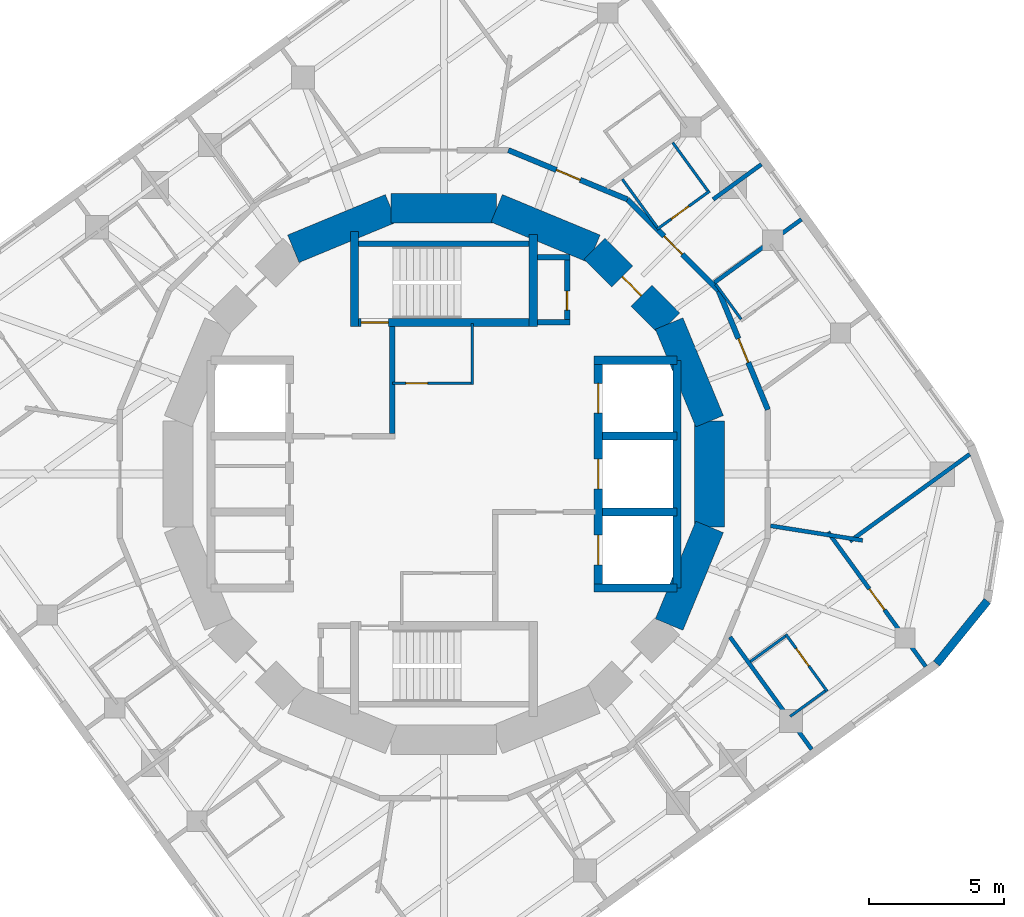
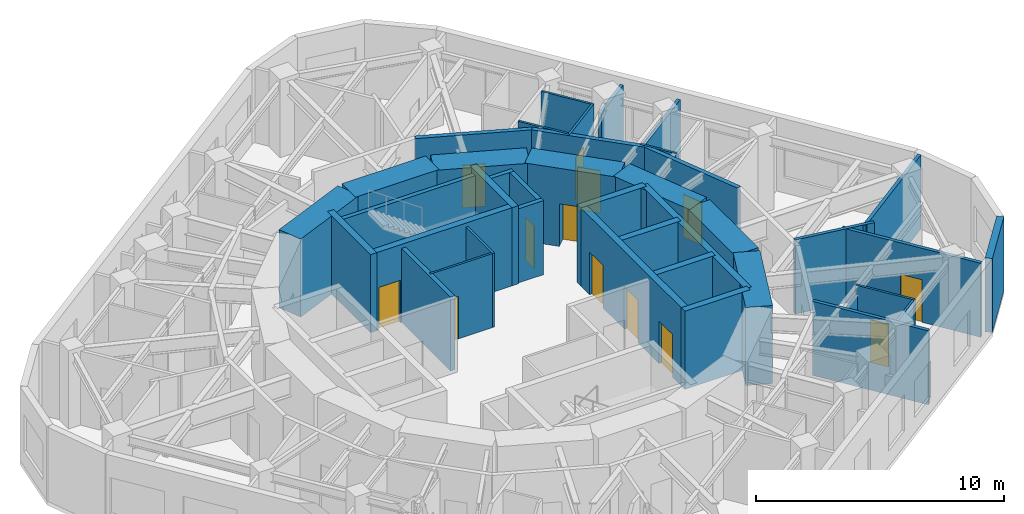
# One storey, part 6 of 9: 40 walls, 13 doors, 13 openings.
"""IFC4 building model written with IfcOpenShell, lengths in metres."""

from ifc_helpers import new_model, si_unit, direction, frame, frame_2d, origin, place, context, subcontext, project, spatial, rectangle, extrude, material, layer, layer_set, type_object, element, fill, save


model = new_model("IFC4")

# Units and contexts
model_context = context("Model", 3, precision=1e-05, world=origin(), true_north=direction((0.0, 1.0)))
body_context = subcontext(model_context, "Body", "Model", "MODEL_VIEW")
ifc_project = project(units=[si_unit("LENGTHUNIT", "METRE"), si_unit("AREAUNIT", "SQUARE_METRE"), si_unit("VOLUMEUNIT", "CUBIC_METRE"), si_unit("PLANEANGLEUNIT", "RADIAN"), si_unit("MASSUNIT", "GRAM", prefix="KILO")], contexts=[model_context])

# Site, building, storey
site_placement = place(None, origin())
site = spatial("IfcSite", under=ifc_project, at=site_placement, CompositionType="ELEMENT")
building_placement = place(site_placement, origin())
building = spatial("IfcBuilding", under=site, at=building_placement, Name="Nakasero Lantern House", CompositionType="ELEMENT")
storey_placement = place(building_placement, frame((0.0, 0.0, 267.60009765625)))
storey = spatial("IfcBuildingStorey", under=building, at=storey_placement, Name="L65", CompositionType="ELEMENT", Elevation=267.60009765625)

# Wall, openings, doors
ifc_material_1 = material(Name="Concrete C50/60", Category="concrete")
ifc_layer_1 = layer(ifc_material_1, 0.300048828125)
ifc_layer_set_1 = layer_set([ifc_layer_1], Name="Core inner wall 300")
wall_type_1 = type_object("IfcWallType", Name="Core inner wall 300", PredefinedType="SHEAR", material=ifc_layer_set_1)
wall_1_placement = place(storey_placement, frame((5.699951171875, -4.199951171875, 0.0), z_axis=(0.0, 0.0, 1.0), x_axis=(0.0, 1.0, 0.0)))
wall_1 = element("IfcWall", 1, at=wall_1_placement, inside=storey, type_object=wall_type_1, Name="Core inner wall L65 LE", PredefinedType="SHEAR", context=body_context, shape_type="SweptSolid", body=[
    extrude(rectangle(XDim=8.39990234375, YDim=0.300048828125, at=frame_2d((4.199951171875, 0.0))), origin(), (0.0, 0.0, 1.0), 3.849853515625),
])
opening_1_placement = place(wall_1_placement, frame((0.85009765625, 0.0, 0.0)))
opening_1 = element("IfcOpeningElement", 2, at=opening_1_placement, cuts=wall_1, Name="Opening LD", PredefinedType="OPENING", context=body_context, shape_type="SweptSolid", body=[
    extrude(rectangle(XDim=1.10009765625, YDim=2.10009765625, at=frame_2d((0.550048828125, 1.050048828125))), frame((0.0, 0.169921875, 0.0), z_axis=(0.0, -1.0, 0.0), x_axis=(1.0, 0.0, 0.0)), (0.0, 0.0, 1.0), 0.340087890625),
])
opening_2_placement = place(wall_1_placement, frame((3.64990234375, 0.0, 0.0)))
opening_2 = element("IfcOpeningElement", 3, at=opening_2_placement, cuts=wall_1, Name="Opening LD", PredefinedType="OPENING", context=body_context, shape_type="SweptSolid", body=[
    extrude(rectangle(XDim=1.10009765625, YDim=2.10009765625, at=frame_2d((0.550048828125, 1.050048828125))), frame((0.0, 0.169921875, 0.0), z_axis=(0.0, -1.0, 0.0), x_axis=(1.0, 0.0, 0.0)), (0.0, 0.0, 1.0), 0.340087890625),
])
opening_3_placement = place(wall_1_placement, frame((6.449951171875, 0.0, 0.0)))
opening_3 = element("IfcOpeningElement", 4, at=opening_3_placement, cuts=wall_1, Name="Opening LD", PredefinedType="OPENING", context=body_context, shape_type="SweptSolid", body=[
    extrude(rectangle(XDim=1.10009765625, YDim=2.10009765625, at=frame_2d((0.550048828125, 1.050048828125))), frame((0.0, 0.169921875, 0.0), z_axis=(0.0, -1.0, 0.0), x_axis=(1.0, 0.0, 0.0)), (0.0, 0.0, 1.0), 0.340087890625),
])
ifc_material_2 = material(Name="Steel S355", Category="steel")
door_type_1 = type_object("IfcDoorType", Name="Lift landing door E120 1100", OperationType="SLIDING_TO_LEFT", PredefinedType="DOOR", material=ifc_material_2)
door_1_placement = place(opening_1_placement, origin())
door_1 = element("IfcDoor", 5, at=door_1_placement, inside=storey, type_object=door_type_1, Name="Lift landing door LE1", OperationType="SLIDING_TO_LEFT", OverallHeight=2.10009765625, OverallWidth=1.10009765625, PredefinedType="DOOR", context=body_context, shape_type="SweptSolid", body=[
    extrude(rectangle(XDim=1.10009765625, YDim=2.10009765625, at=frame_2d((0.550048828125, 1.050048828125))), frame((0.0, 0.02490234375, 0.0), z_axis=(0.0, -1.0, 0.0), x_axis=(1.0, 0.0, 0.0)), (0.0, 0.0, 1.0), 0.050048828125),
])
fill(opening_1, door_1)
door_2_placement = place(opening_2_placement, origin())
door_2 = element("IfcDoor", 6, at=door_2_placement, inside=storey, type_object=door_type_1, Name="Lift landing door LE2", OperationType="SLIDING_TO_LEFT", OverallHeight=2.10009765625, OverallWidth=1.10009765625, PredefinedType="DOOR", context=body_context, shape_type="SweptSolid", body=[
    extrude(rectangle(XDim=1.10009765625, YDim=2.10009765625, at=frame_2d((0.550048828125, 1.050048828125))), frame((0.0, 0.02490234375, 0.0), z_axis=(0.0, -1.0, 0.0), x_axis=(1.0, 0.0, 0.0)), (0.0, 0.0, 1.0), 0.050048828125),
])
fill(opening_2, door_2)
door_3_placement = place(opening_3_placement, origin())
door_3 = element("IfcDoor", 7, at=door_3_placement, inside=storey, type_object=door_type_1, Name="Lift landing door LE3", OperationType="SLIDING_TO_LEFT", OverallHeight=2.10009765625, OverallWidth=1.10009765625, PredefinedType="DOOR", context=body_context, shape_type="SweptSolid", body=[
    extrude(rectangle(XDim=1.10009765625, YDim=2.10009765625, at=frame_2d((0.550048828125, 1.050048828125))), frame((0.0, 0.02490234375, 0.0), z_axis=(0.0, -1.0, 0.0), x_axis=(1.0, 0.0, 0.0)), (0.0, 0.0, 1.0), 0.050048828125),
])
fill(opening_3, door_3)

# Walls
for number, where, z_axis, x_axis, name in (
    (8, (5.550048828125, 4.199951171875, 0.0), (0.0, 0.0, 1.0), (1.0, 0.0, 0.0), "Core inner wall L65 LEN"),
    (9, (5.550048828125, -4.199951171875, 0.0), (0.0, 0.0, 1.0), (1.0, 0.0, 0.0), "Core inner wall L65 LES"),
):
    element("IfcWall", number, at=place(storey_placement, frame(where, z_axis=z_axis, x_axis=x_axis)), inside=storey, type_object=wall_type_1, Name=name, PredefinedType="SHEAR", context=body_context, shape_type="SweptSolid", body=[
        extrude(rectangle(XDim=3.050048828125, YDim=0.300048828125, at=frame_2d((1.52490234375, 0.0))), origin(), (0.0, 0.0, 1.0), 3.849853515625),
    ])
wall_2_placement = place(storey_placement, frame((8.60009765625, -4.199951171875, 0.0), z_axis=(0.0, 0.0, 1.0), x_axis=(0.0, 1.0, 0.0)))
element("IfcWall", 10, at=wall_2_placement, inside=storey, type_object=wall_type_1, Name="Core inner wall L65 LEB", PredefinedType="SHEAR", context=body_context, shape_type="SweptSolid", body=[
    extrude(rectangle(XDim=8.39990234375, YDim=0.300048828125, at=frame_2d((4.199951171875, 0.0))), origin(), (0.0, 0.0, 1.0), 3.849853515625),
])
for number, where, z_axis, x_axis, name in (
    (11, (5.85009765625, -1.39990234375, 0.0), (0.0, 0.0, 1.0), (1.0, 0.0, 0.0), "Core inner wall L65 LE1"),
    (12, (5.85009765625, 1.39990234375, 0.0), (0.0, 0.0, 1.0), (1.0, 0.0, 0.0), "Core inner wall L65 LE2"),
):
    element("IfcWall", number, at=place(storey_placement, frame(where, z_axis=z_axis, x_axis=x_axis)), inside=storey, type_object=wall_type_1, Name=name, PredefinedType="SHEAR", context=body_context, shape_type="SweptSolid", body=[
        extrude(rectangle(XDim=2.75, YDim=0.300048828125, at=frame_2d((1.375, 0.0))), origin(), (0.0, 0.0, 1.0), 3.849853515625),
    ])

# Wall, opening, door
wall_3_placement = place(storey_placement, frame((-3.449951171875, 5.60009765625, 0.0), z_axis=(0.0, 0.0, 1.0), x_axis=(1.0, 0.0, 0.0)))
wall_3 = element("IfcWall", 13, at=wall_3_placement, inside=storey, type_object=wall_type_1, Name="Core inner wall L65 SN", PredefinedType="SHEAR", context=body_context, shape_type="SweptSolid", body=[
    extrude(rectangle(XDim=6.89990234375, YDim=0.300048828125, at=frame_2d((3.449951171875, 0.0))), origin(), (0.0, 0.0, 1.0), 3.849853515625),
])
opening_4_placement = place(wall_3_placement, frame((0.39990234375, 0.0, 0.0)))
opening_4 = element("IfcOpeningElement", 14, at=opening_4_placement, cuts=wall_3, Name="Opening D05", PredefinedType="OPENING", context=body_context, shape_type="SweptSolid", body=[
    extrude(rectangle(XDim=1.0, YDim=2.10009765625, at=frame_2d((0.5, 1.050048828125))), frame((0.0, 0.169921875, 0.0), z_axis=(0.0, -1.0, 0.0), x_axis=(1.0, 0.0, 0.0)), (0.0, 0.0, 1.0), 0.340087890625),
])
ifc_material_3 = material(Name="Timber C24", Category="wood")
door_type_2 = type_object("IfcDoorType", Name="Core door FD60S 1000", OperationType="SINGLE_SWING_LEFT", PredefinedType="DOOR", material=ifc_material_3)
door_4_placement = place(opening_4_placement, origin())
door_4 = element("IfcDoor", 15, at=door_4_placement, inside=storey, type_object=door_type_2, Name="Door L65 D-ST1", OperationType="SINGLE_SWING_LEFT", OverallHeight=2.10009765625, OverallWidth=1.0, PredefinedType="DOOR", context=body_context, shape_type="SweptSolid", body=[
    extrude(rectangle(XDim=1.0, YDim=2.10009765625, at=frame_2d((0.5, 1.050048828125))), frame((0.0, 0.02490234375, 0.0), z_axis=(0.0, -1.0, 0.0), x_axis=(1.0, 0.0, 0.0)), (0.0, 0.0, 1.0), 0.050048828125),
])
fill(opening_4, door_4)

# Walls
wall_4_placement = place(storey_placement, frame((-3.300048828125, 5.449951171875, 0.0), z_axis=(0.0, 0.0, 1.0), x_axis=(0.0, 1.0, 0.0)))
element("IfcWall", 16, at=wall_4_placement, inside=storey, type_object=wall_type_1, Name="Core inner wall L65 SNW", PredefinedType="SHEAR", context=body_context, shape_type="SweptSolid", body=[
    extrude(rectangle(XDim=3.5, YDim=0.300048828125, at=frame_2d((1.75, 0.0))), origin(), (0.0, 0.0, 1.0), 3.849853515625),
])
wall_5_placement = place(storey_placement, frame((3.300048828125, 5.449951171875, 0.0), z_axis=(0.0, 0.0, 1.0), x_axis=(0.0, 1.0, 0.0)))
element("IfcWall", 17, at=wall_5_placement, inside=storey, type_object=wall_type_1, Name="Core inner wall L65 SNE", PredefinedType="SHEAR", context=body_context, shape_type="SweptSolid", body=[
    extrude(rectangle(XDim=3.400146484375, YDim=0.300048828125, at=frame_2d((1.7001953125, 0.0))), origin(), (0.0, 0.0, 1.0), 3.849853515625),
])

# Wall, opening, door
ifc_material_4 = material(Name="Blockwork", Category="masonry")
ifc_layer_2 = layer(ifc_material_4, 0.10009765625)
ifc_layer_set_2 = layer_set([ifc_layer_2], Name="Core room wall 100")
wall_type_2 = type_object("IfcWallType", Name="Core room wall 100", PredefinedType="PARTITIONING", material=ifc_layer_set_2)
wall_6_placement = place(storey_placement, frame((-1.89990234375, 3.35009765625, 0.0), z_axis=(0.0, 0.0, 1.0), x_axis=(1.0, 0.0, 0.0)))
wall_6 = element("IfcWall", 18, at=wall_6_placement, inside=storey, type_object=wall_type_2, Name="Core room wall L65 CR-NES", PredefinedType="PARTITIONING", context=body_context, shape_type="SweptSolid", body=[
    extrude(rectangle(XDim=3.0, YDim=0.10009765625, at=frame_2d((1.5, 0.0))), origin(), (0.0, 0.0, 1.0), 3.64990234375),
])
opening_5_placement = place(wall_6_placement, frame((0.5, 0.0, 0.0)))
opening_5 = element("IfcOpeningElement", 19, at=opening_5_placement, cuts=wall_6, Name="Opening D15", PredefinedType="OPENING", context=body_context, shape_type="SweptSolid", body=[
    extrude(rectangle(XDim=0.800048828125, YDim=2.10009765625, at=frame_2d((0.39990234375, 1.050048828125))), frame((0.0, 0.070068359375, 0.0), z_axis=(0.0, -1.0, 0.0), x_axis=(1.0, 0.0, 0.0)), (0.0, 0.0, 1.0), 0.14013671875),
])
ifc_material_5 = material(Name="Timber C24", Category="wood")
door_type_3 = type_object("IfcDoorType", Name="Cleaner's store door FD30S 800", OperationType="SINGLE_SWING_LEFT", PredefinedType="DOOR", material=ifc_material_5)
door_5_placement = place(opening_5_placement, origin())
door_5 = element("IfcDoor", 20, at=door_5_placement, inside=storey, type_object=door_type_3, Name="Door L65 D-CR-NE", OperationType="SINGLE_SWING_LEFT", OverallHeight=2.10009765625, OverallWidth=0.800048828125, PredefinedType="DOOR", context=body_context, shape_type="SweptSolid", body=[
    extrude(rectangle(XDim=0.800048828125, YDim=2.10009765625, at=frame_2d((0.39990234375, 1.050048828125))), frame((0.0, 0.02490234375, 0.0), z_axis=(0.0, -1.0, 0.0), x_axis=(1.0, 0.0, 0.0)), (0.0, 0.0, 1.0), 0.050048828125),
])
fill(opening_5, door_5)

# Walls
wall_7_placement = place(storey_placement, frame((1.050048828125, 3.300048828125, 0.0), z_axis=(0.0, 0.0, 1.0), x_axis=(0.0, 1.0, 0.0)))
element("IfcWall", 21, at=wall_7_placement, inside=storey, type_object=wall_type_2, Name="Core room wall L65 CR-NEE", PredefinedType="PARTITIONING", context=body_context, shape_type="SweptSolid", body=[
    extrude(rectangle(XDim=2.25, YDim=0.10009765625, at=frame_2d((1.125, 0.0))), origin(), (0.0, 0.0, 1.0), 3.64990234375),
])
ifc_material_6 = material(Name="Concrete C50/60", Category="concrete")
ifc_layer_3 = layer(ifc_material_6, 1.10009765625)
ifc_layer_set_3 = layer_set([ifc_layer_3], Name="Core wall 1100")
wall_type_3 = type_object("IfcWallType", Name="Core wall 1100", PredefinedType="SHEAR", material=ifc_layer_set_3)
wall_8_placement = place(storey_placement, frame((9.807861328125, 1.950927734375, 0.0), z_axis=(0.0, 0.0, 1.0), x_axis=(-0.382690736062, 0.923876507187, 0.0)))
element("IfcWall", 22, at=wall_8_placement, inside=storey, type_object=wall_type_3, Name="Core wall L65 facet 1", PredefinedType="SHEAR", context=body_context, shape_type="SweptSolid", body=[
    extrude(rectangle(XDim=3.90185546875, YDim=1.10009765625, at=frame_2d((1.950927734375, 0.0))), origin(), (0.0, 0.0, 1.0), 3.849853515625),
])

# Wall, opening, door
wall_9_placement = place(storey_placement, frame((8.314697265625, 5.5556640625, 0.0), z_axis=(0.0, 0.0, 1.0), x_axis=(-0.707106781187, 0.707106781187, 0.0)))
wall_9 = element("IfcWall", 23, at=wall_9_placement, inside=storey, type_object=wall_type_3, Name="Core wall L65 facet 2", PredefinedType="SHEAR", context=body_context, shape_type="SweptSolid", body=[
    extrude(rectangle(XDim=3.90185546875, YDim=1.10009765625, at=frame_2d((1.950927734375, 0.0))), origin(), (0.0, 0.0, 1.0), 3.849853515625),
])
opening_6_placement = place(wall_9_placement, frame((1.450927734375, 0.0, 0.0)))
opening_6 = element("IfcOpeningElement", 24, at=opening_6_placement, cuts=wall_9, Name="Opening D05", PredefinedType="OPENING", context=body_context, shape_type="SweptSolid", body=[
    extrude(rectangle(XDim=1.0, YDim=2.10009765625, at=frame_2d((0.5, 1.050048828125))), frame((0.0, 0.570068359375, 0.0), z_axis=(0.0, -1.0, 0.0), x_axis=(1.0, 0.0, 0.0)), (0.0, 0.0, 1.0), 1.14013671875),
])
door_6_placement = place(opening_6_placement, origin())
door_6 = element("IfcDoor", 25, at=door_6_placement, inside=storey, type_object=door_type_2, Name="Door L65 D-CORE02", OperationType="SINGLE_SWING_LEFT", OverallHeight=2.10009765625, OverallWidth=1.0, PredefinedType="DOOR", context=body_context, shape_type="SweptSolid", body=[
    extrude(rectangle(XDim=1.0, YDim=2.10009765625, at=frame_2d((0.5, 1.050048828125))), frame((0.0, 0.02490234375, 0.0), z_axis=(0.0, -1.0, 0.0), x_axis=(1.0, 0.0, 0.0)), (0.0, 0.0, 1.0), 0.050048828125),
])
fill(opening_6, door_6)

# Walls
for number, where, z_axis, x_axis, name in (
    (26, (5.5556640625, 8.314697265625, 0.0), (0.0, 0.0, 1.0), (-0.923876507187, 0.382690736062, 0.0), "Core wall L65 facet 3"),
    (27, (1.950927734375, 9.807861328125, 0.0), (0.0, 0.0, 1.0), (-1.0, 0.0, 0.0), "Core wall L65 facet 4"),
    (28, (-1.950927734375, 9.807861328125, 0.0), (0.0, 0.0, 1.0), (-0.923876507187, -0.382690736062, 0.0), "Core wall L65 facet 5"),
    (29, (8.314697265625, -5.5556640625, 0.0), (0.0, 0.0, 1.0), (0.382690736062, 0.923876507187, 0.0), "Core wall L65 facet 15"),
    (30, (9.807861328125, -1.950927734375, 0.0), (0.0, 0.0, 1.0), (0.0, 1.0, 0.0), "Core wall L65 facet 16"),
):
    element("IfcWall", number, at=place(storey_placement, frame(where, z_axis=z_axis, x_axis=x_axis)), inside=storey, type_object=wall_type_3, Name=name, PredefinedType="SHEAR", context=body_context, shape_type="SweptSolid", body=[
        extrude(rectangle(XDim=3.90185546875, YDim=1.10009765625, at=frame_2d((1.950927734375, 0.0))), origin(), (0.0, 0.0, 1.0), 3.849853515625),
    ])

# Wall, opening, door
ifc_material_7 = material(Name="Blockwork", Category="masonry")
ifc_layer_4 = layer(ifc_material_7, 0.199951171875)
ifc_layer_set_4 = layer_set([ifc_layer_4], Name="Corridor wall 200")
wall_type_4 = type_object("IfcWallType", Name="Corridor wall 200", PredefinedType="PARTITIONING", material=ifc_layer_set_4)
wall_10_placement = place(storey_placement, frame((2.378662109375, 11.957763671875, 0.0), z_axis=(0.0, 0.0, 1.0), x_axis=(0.923891735412, -0.382653970627, 0.0)))
wall_10 = element("IfcWall", 31, at=wall_10_placement, inside=storey, type_object=wall_type_4, Name="Corridor wall L65 RC13a", PredefinedType="PARTITIONING", context=body_context, shape_type="SweptSolid", body=[
    extrude(rectangle(XDim=4.757080078125, YDim=0.199951171875, at=frame_2d((2.37841796875, 0.0))), origin(), (0.0, 0.0, 1.0), 3.64990234375),
])
opening_7_placement = place(wall_10_placement, frame((1.919921875, 0.0, 0.0)))
opening_7 = element("IfcOpeningElement", 32, at=opening_7_placement, cuts=wall_10, Name="Opening D01", PredefinedType="OPENING", context=body_context, shape_type="SweptSolid", body=[
    extrude(rectangle(XDim=0.949951171875, YDim=2.10009765625, at=frame_2d((0.47509765625, 1.050048828125))), frame((0.0, 0.119873046875, 0.0), z_axis=(0.0, -1.0, 0.0), x_axis=(1.0, 0.0, 0.0)), (0.0, 0.0, 1.0), 0.239990234375),
])
ifc_material_8 = material(Name="Timber C24", Category="wood")
door_type_4 = type_object("IfcDoorType", Name="Bedroom door FD30S 950", OperationType="SINGLE_SWING_LEFT", PredefinedType="DOOR", material=ifc_material_8)
door_7_placement = place(opening_7_placement, origin())
door_7 = element("IfcDoor", 33, at=door_7_placement, inside=storey, type_object=door_type_4, Name="Door L65 D0-06", OperationType="SINGLE_SWING_RIGHT", OverallHeight=2.10009765625, OverallWidth=0.949951171875, PredefinedType="DOOR", context=body_context, shape_type="SweptSolid", body=[
    extrude(rectangle(XDim=0.949951171875, YDim=2.10009765625, at=frame_2d((0.47509765625, 1.050048828125))), frame((0.0, 0.02490234375, 0.0), z_axis=(0.0, -1.0, 0.0), x_axis=(1.0, 0.0, 0.0)), (0.0, 0.0, 1.0), 0.050048828125),
])
fill(opening_7, door_7)

wall_11_placement = place(storey_placement, frame((6.773681640625, 10.137451171875, 0.0), z_axis=(0.0, 0.0, 1.0), x_axis=(0.707106781187, -0.707106781187, 0.0)))
wall_11 = element("IfcWall", 34, at=wall_11_placement, inside=storey, type_object=wall_type_4, Name="Corridor wall L65 RC14a", PredefinedType="PARTITIONING", context=body_context, shape_type="SweptSolid", body=[
    extrude(rectangle(XDim=4.757080078125, YDim=0.199951171875, at=frame_2d((2.37841796875, 0.0))), origin(), (0.0, 0.0, 1.0), 3.64990234375),
])
opening_8_placement = place(wall_11_placement, frame((1.919921875, 0.0, 0.0)))
opening_8 = element("IfcOpeningElement", 35, at=opening_8_placement, cuts=wall_11, Name="Opening D01", PredefinedType="OPENING", context=body_context, shape_type="SweptSolid", body=[
    extrude(rectangle(XDim=0.949951171875, YDim=2.10009765625, at=frame_2d((0.47509765625, 1.050048828125))), frame((0.0, 0.119873046875, 0.0), z_axis=(0.0, -1.0, 0.0), x_axis=(1.0, 0.0, 0.0)), (0.0, 0.0, 1.0), 0.239990234375),
])
door_8_placement = place(opening_8_placement, origin())
door_8 = element("IfcDoor", 36, at=door_8_placement, inside=storey, type_object=door_type_4, Name="Door L65 D0-04", OperationType="SINGLE_SWING_RIGHT", OverallHeight=2.10009765625, OverallWidth=0.949951171875, PredefinedType="DOOR", context=body_context, shape_type="SweptSolid", body=[
    extrude(rectangle(XDim=0.949951171875, YDim=2.10009765625, at=frame_2d((0.47509765625, 1.050048828125))), frame((0.0, 0.02490234375, 0.0), z_axis=(0.0, -1.0, 0.0), x_axis=(1.0, 0.0, 0.0)), (0.0, 0.0, 1.0), 0.050048828125),
])
fill(opening_8, door_8)

wall_12_placement = place(storey_placement, frame((10.137451171875, 6.773681640625, 0.0), z_axis=(0.0, 0.0, 1.0), x_axis=(0.382653970627, -0.923891735412, 0.0)))
wall_12 = element("IfcWall", 37, at=wall_12_placement, inside=storey, type_object=wall_type_4, Name="Corridor wall L65 RC15a", PredefinedType="PARTITIONING", context=body_context, shape_type="SweptSolid", body=[
    extrude(rectangle(XDim=4.757080078125, YDim=0.199951171875, at=frame_2d((2.37841796875, 0.0))), origin(), (0.0, 0.0, 1.0), 3.64990234375),
])
opening_9_placement = place(wall_12_placement, frame((1.919921875, 0.0, 0.0)))
opening_9 = element("IfcOpeningElement", 38, at=opening_9_placement, cuts=wall_12, Name="Opening D01", PredefinedType="OPENING", context=body_context, shape_type="SweptSolid", body=[
    extrude(rectangle(XDim=0.949951171875, YDim=2.10009765625, at=frame_2d((0.47509765625, 1.050048828125))), frame((0.0, 0.119873046875, 0.0), z_axis=(0.0, -1.0, 0.0), x_axis=(1.0, 0.0, 0.0)), (0.0, 0.0, 1.0), 0.239990234375),
])
door_9_placement = place(opening_9_placement, origin())
door_9 = element("IfcDoor", 39, at=door_9_placement, inside=storey, type_object=door_type_4, Name="Door L65 D0-03", OperationType="SINGLE_SWING_RIGHT", OverallHeight=2.10009765625, OverallWidth=0.949951171875, PredefinedType="DOOR", context=body_context, shape_type="SweptSolid", body=[
    extrude(rectangle(XDim=0.949951171875, YDim=2.10009765625, at=frame_2d((0.47509765625, 1.050048828125))), frame((0.0, 0.02490234375, 0.0), z_axis=(0.0, -1.0, 0.0), x_axis=(1.0, 0.0, 0.0)), (0.0, 0.0, 1.0), 0.050048828125),
])
fill(opening_9, door_9)

# Wall
ifc_material_9 = material(Name="Blockwork", Category="masonry")
ifc_layer_5 = layer(ifc_material_9, 0.10009765625)
ifc_layer_set_5 = layer_set([ifc_layer_5], Name="En-suite wall 100")
wall_type_5 = type_object("IfcWallType", Name="En-suite wall 100", PredefinedType="PARTITIONING", material=ifc_layer_set_5)
wall_13_placement = place(storey_placement, frame((10.9716796875, 5.713623046875, 0.0), z_axis=(0.0, 0.0, 1.0), x_axis=(-0.587772420479, 0.809026317077, 0.0)))
element("IfcWall", 40, at=wall_13_placement, inside=storey, type_object=wall_type_5, Name="En-suite wall L65 EI0-03", PredefinedType="PARTITIONING", context=body_context, shape_type="SweptSolid", body=[
    extrude(rectangle(XDim=1.60009765625, YDim=0.10009765625, at=frame_2d((0.800048828125, 0.0))), origin(), (0.0, 0.0, 1.0), 3.64990234375),
])

# Wall, opening, door
wall_14_placement = place(storey_placement, frame((7.867431640625, 9.0341796875, 0.0), z_axis=(0.0, 0.0, 1.0), x_axis=(0.809026317077, 0.587772420479, 0.0)))
wall_14 = element("IfcWall", 41, at=wall_14_placement, inside=storey, type_object=wall_type_5, Name="En-suite wall L65 ES0-04", PredefinedType="PARTITIONING", context=body_context, shape_type="SweptSolid", body=[
    extrude(rectangle(XDim=2.39990234375, YDim=0.10009765625, at=frame_2d((1.199951171875, 0.0))), origin(), (0.0, 0.0, 1.0), 3.64990234375),
])
opening_10_placement = place(wall_14_placement, frame((0.64990234375, 0.0, 0.0)))
opening_10 = element("IfcOpeningElement", 42, at=opening_10_placement, cuts=wall_14, Name="Opening D02", PredefinedType="OPENING", context=body_context, shape_type="SweptSolid", body=[
    extrude(rectangle(XDim=0.800048828125, YDim=2.10009765625, at=frame_2d((0.39990234375, 1.050048828125))), frame((0.0, 0.070068359375, 0.0), z_axis=(0.0, -1.0, 0.0), x_axis=(1.0, 0.0, 0.0)), (0.0, 0.0, 1.0), 0.14013671875),
])
ifc_material_10 = material(Name="Timber C24", Category="wood")
door_type_5 = type_object("IfcDoorType", Name="En-suite door 800", OperationType="SINGLE_SWING_RIGHT", PredefinedType="DOOR", material=ifc_material_10)
door_10_placement = place(opening_10_placement, origin())
door_10 = element("IfcDoor", 43, at=door_10_placement, inside=storey, type_object=door_type_5, Name="Door L65 DE0-04", OperationType="SINGLE_SWING_LEFT", OverallHeight=2.10009765625, OverallWidth=0.800048828125, PredefinedType="DOOR", context=body_context, shape_type="SweptSolid", body=[
    extrude(rectangle(XDim=0.800048828125, YDim=2.10009765625, at=frame_2d((0.39990234375, 1.050048828125))), frame((0.0, 0.02490234375, 0.0), z_axis=(0.0, -1.0, 0.0), x_axis=(1.0, 0.0, 0.0)), (0.0, 0.0, 1.0), 0.050048828125),
])
fill(opening_10, door_10)

# Walls
for number, where, z_axis, x_axis, name in (
    (44, (9.7392578125, 10.4560546875, 0.0), (0.0, 0.0, 1.0), (-0.587821928992, 0.808990345923, 0.0), "En-suite wall L65 EE0-04"),
    (45, (7.87841796875, 9.10400390625, 0.0), (0.0, 0.0, 1.0), (-0.587749294152, 0.809043118272, 0.0), "En-suite wall L65 EI0-04"),
):
    element("IfcWall", number, at=place(storey_placement, frame(where, z_axis=z_axis, x_axis=x_axis)), inside=storey, type_object=wall_type_5, Name=name, PredefinedType="PARTITIONING", context=body_context, shape_type="SweptSolid", body=[
        extrude(rectangle(XDim=2.199951171875, YDim=0.10009765625, at=frame_2d((1.10009765625, 0.0))), origin(), (0.0, 0.0, 1.0), 3.64990234375),
    ])

# Wall, opening, door
wall_15_placement = place(storey_placement, frame((12.619384765625, -5.91162109375, 0.0), z_axis=(0.0, 0.0, 1.0), x_axis=(0.587730526155, -0.809056752413, 0.0)))
wall_15 = element("IfcWall", 46, at=wall_15_placement, inside=storey, type_object=wall_type_5, Name="En-suite wall L65 ES3-06", PredefinedType="PARTITIONING", context=body_context, shape_type="SweptSolid", body=[
    extrude(rectangle(XDim=2.599853515625, YDim=0.10009765625, at=frame_2d((1.2998046875, 0.0))), origin(), (0.0, 0.0, 1.0), 3.64990234375),
])
opening_11_placement = place(wall_15_placement, frame((0.64990234375, 0.0, 0.0)))
opening_11 = element("IfcOpeningElement", 47, at=opening_11_placement, cuts=wall_15, Name="Opening D02", PredefinedType="OPENING", context=body_context, shape_type="SweptSolid", body=[
    extrude(rectangle(XDim=0.800048828125, YDim=2.10009765625, at=frame_2d((0.39990234375, 1.050048828125))), frame((0.0, 0.070068359375, 0.0), z_axis=(0.0, -1.0, 0.0), x_axis=(1.0, 0.0, 0.0)), (0.0, 0.0, 1.0), 0.14013671875),
])
door_11_placement = place(opening_11_placement, origin())
door_11 = element("IfcDoor", 48, at=door_11_placement, inside=storey, type_object=door_type_5, Name="Door L65 DE3-06", OperationType="SINGLE_SWING_LEFT", OverallHeight=2.10009765625, OverallWidth=0.800048828125, PredefinedType="DOOR", context=body_context, shape_type="SweptSolid", body=[
    extrude(rectangle(XDim=0.800048828125, YDim=2.10009765625, at=frame_2d((0.39990234375, 1.050048828125))), frame((0.0, 0.02490234375, 0.0), z_axis=(0.0, -1.0, 0.0), x_axis=(1.0, 0.0, 0.0)), (0.0, 0.0, 1.0), 0.050048828125),
])
fill(opening_11, door_11)

# Walls
wall_16_placement = place(storey_placement, frame((12.783203125, -8.9443359375, 0.0), z_axis=(0.0, 0.0, 1.0), x_axis=(0.809026317077, 0.587772420479, 0.0)))
element("IfcWall", 49, at=wall_16_placement, inside=storey, type_object=wall_type_5, Name="En-suite wall L65 EE3-06", PredefinedType="PARTITIONING", context=body_context, shape_type="SweptSolid", body=[
    extrude(rectangle(XDim=1.60009765625, YDim=0.10009765625, at=frame_2d((0.800048828125, 0.0))), origin(), (0.0, 0.0, 1.0), 3.64990234375),
])
wall_17_placement = place(storey_placement, frame((11.313720703125, -6.921875, 0.0), z_axis=(0.0, 0.0, 1.0), x_axis=(0.809026317077, 0.587772420479, 0.0)))
element("IfcWall", 50, at=wall_17_placement, inside=storey, type_object=wall_type_5, Name="En-suite wall L65 EI3-06", PredefinedType="PARTITIONING", context=body_context, shape_type="SweptSolid", body=[
    extrude(rectangle(XDim=1.60009765625, YDim=0.10009765625, at=frame_2d((0.800048828125, 0.0))), origin(), (0.0, 0.0, 1.0), 3.18994140625),
])
ifc_material_11 = material(Name="Aluminium rainscreen on blockwork", Category="masonry")
ifc_layer_6 = layer(ifc_material_11, 0.300048828125)
ifc_layer_set_6 = layer_set([ifc_layer_6], Name="Facade wall 300")
wall_type_6 = type_object("IfcWallType", Name="Facade wall 300", PredefinedType="SOLIDWALL", material=ifc_layer_set_6)
wall_18_placement = place(storey_placement, frame((18.185791015625, -6.996826171875, 0.0), z_axis=(0.0, 0.0, 1.0), x_axis=(0.629375183362, 0.777101588319, 0.0)))
element("IfcWall", 51, at=wall_18_placement, inside=storey, type_object=wall_type_6, Name="Facade wall L65 FW3C1", PredefinedType="SOLIDWALL", context=body_context, shape_type="SweptSolid", body=[
    extrude(rectangle(XDim=2.976318359375, YDim=0.300048828125, at=frame_2d((1.48828125, 0.0))), origin(), (0.0, 0.0, 1.0), 3.64990234375),
])
ifc_material_12 = material(Name="Blockwork", Category="masonry")
ifc_layer_7 = layer(ifc_material_12, 0.199951171875)
ifc_layer_set_7 = layer_set([ifc_layer_7], Name="Fire lobby wall 200")
wall_type_7 = type_object("IfcWallType", Name="Fire lobby wall 200", PredefinedType="PARTITIONING", material=ifc_layer_set_7)
wall_19_placement = place(storey_placement, frame((-1.89990234375, 1.5, 0.0), z_axis=(0.0, 0.0, 1.0), x_axis=(0.0, 1.0, 0.0)))
element("IfcWall", 52, at=wall_19_placement, inside=storey, type_object=wall_type_7, Name="Fire lobby wall L65 W-FL1E", PredefinedType="PARTITIONING", context=body_context, shape_type="SweptSolid", body=[
    extrude(rectangle(XDim=3.949951171875, YDim=0.199951171875, at=frame_2d((1.97509765625, 0.0))), origin(), (0.0, 0.0, 1.0), 3.64990234375),
])

# Wall, opening, door
wall_20_placement = place(storey_placement, frame((4.550048828125, 5.60009765625, 0.0), z_axis=(0.0, 0.0, 1.0), x_axis=(0.0, 1.0, 0.0)))
wall_20 = element("IfcWall", 53, at=wall_20_placement, inside=storey, type_object=wall_type_7, Name="Fire lobby wall L65 W-RS1E", PredefinedType="PARTITIONING", context=body_context, shape_type="SweptSolid", body=[
    extrude(rectangle(XDim=2.39990234375, YDim=0.199951171875, at=frame_2d((1.199951171875, 0.0))), origin(), (0.0, 0.0, 1.0), 3.64990234375),
])
opening_12_placement = place(wall_20_placement, frame((0.449951171875, 0.0, 0.0)))
opening_12 = element("IfcOpeningElement", 54, at=opening_12_placement, cuts=wall_20, Name="Opening D06", PredefinedType="OPENING", context=body_context, shape_type="SweptSolid", body=[
    extrude(rectangle(XDim=0.699951171875, YDim=2.10009765625, at=frame_2d((0.35009765625, 1.050048828125))), frame((0.0, 0.119873046875, 0.0), z_axis=(0.0, -1.0, 0.0), x_axis=(1.0, 0.0, 0.0)), (0.0, 0.0, 1.0), 0.239990234375),
])
ifc_material_13 = material(Name="Steel S355", Category="steel")
door_type_6 = type_object("IfcDoorType", Name="Riser door FD60 700", OperationType="SINGLE_SWING_LEFT", PredefinedType="DOOR", material=ifc_material_13)
door_12_placement = place(opening_12_placement, origin())
door_12 = element("IfcDoor", 55, at=door_12_placement, inside=storey, type_object=door_type_6, Name="Door L65 D-RS1", OperationType="SINGLE_SWING_LEFT", OverallHeight=2.10009765625, OverallWidth=0.699951171875, PredefinedType="DOOR", context=body_context, shape_type="SweptSolid", body=[
    extrude(rectangle(XDim=0.699951171875, YDim=2.10009765625, at=frame_2d((0.35009765625, 1.050048828125))), frame((0.0, 0.02490234375, 0.0), z_axis=(0.0, -1.0, 0.0), x_axis=(1.0, 0.0, 0.0)), (0.0, 0.0, 1.0), 0.050048828125),
])
fill(opening_12, door_12)

# Walls
for number, where, z_axis, x_axis, name in (
    (56, (3.449951171875, 8.0, 0.0), (0.0, 0.0, 1.0), (1.0, 0.0, 0.0), "Fire lobby wall L65 W-RS1N"),
    (57, (3.449951171875, 5.60009765625, 0.0), (0.0, 0.0, 1.0), (1.0, 0.0, 0.0), "Fire lobby wall L65 W-RS1S"),
):
    element("IfcWall", number, at=place(storey_placement, frame(where, z_axis=z_axis, x_axis=x_axis)), inside=storey, type_object=wall_type_7, Name=name, PredefinedType="PARTITIONING", context=body_context, shape_type="SweptSolid", body=[
        extrude(rectangle(XDim=1.199951171875, YDim=0.199951171875, at=frame_2d((0.60009765625, 0.0))), origin(), (0.0, 0.0, 1.0), 3.64990234375),
    ])
wall_21_placement = place(storey_placement, frame((-3.300048828125, 8.5, 0.0), z_axis=(0.0, 0.0, 1.0), x_axis=(1.0, 0.0, 0.0)))
element("IfcWall", 58, at=wall_21_placement, inside=storey, type_object=wall_type_7, Name="Fire lobby wall L65 W-STN", PredefinedType="PARTITIONING", context=body_context, shape_type="SweptSolid", body=[
    extrude(rectangle(XDim=6.60009765625, YDim=0.199951171875, at=frame_2d((3.300048828125, 0.0))), origin(), (0.0, 0.0, 1.0), 3.64990234375),
])
ifc_material_14 = material(Name="Blockwork", Category="masonry")
ifc_layer_8 = layer(ifc_material_14, 0.14990234375)
ifc_layer_set_8 = layer_set([ifc_layer_8], Name="Party wall 150")
wall_type_8 = type_object("IfcWallType", Name="Party wall 150", PredefinedType="PARTITIONING", material=ifc_layer_set_8)
wall_22_placement = place(storey_placement, frame((9.939208984375, 10.13818359375, 0.0), z_axis=(0.0, 0.0, 1.0), x_axis=(0.808990345923, 0.587821928992, 0.0)))
element("IfcWall", 59, at=wall_22_placement, inside=storey, type_object=wall_type_8, Name="Party wall L65 PN0-05", PredefinedType="PARTITIONING", context=body_context, shape_type="SweptSolid", body=[
    extrude(rectangle(XDim=2.199951171875, YDim=0.14990234375, at=frame_2d((1.10009765625, 0.0))), origin(), (0.0, 0.0, 1.0), 3.294921875),
])
wall_23_placement = place(storey_placement, frame((14.9853515625, -2.48095703125, 0.0), z_axis=(0.0, 0.0, 1.0), x_axis=(0.809023745549, 0.587775959987, 0.0)))
element("IfcWall", 60, at=wall_23_placement, inside=storey, type_object=wall_type_8, Name="Party wall L65 PW0-01", PredefinedType="PARTITIONING", context=body_context, shape_type="SweptSolid", body=[
    extrude(rectangle(XDim=5.466552734375, YDim=0.14990234375, at=frame_2d((2.7333984375, 0.0))), origin(), (0.0, 0.0, 1.0), 3.64990234375),
])
wall_24_placement = place(storey_placement, frame((9.985107421875, 7.067138671875, 0.0), z_axis=(0.0, 0.0, 1.0), x_axis=(0.809004739075, 0.587802119896, 0.0)))
element("IfcWall", 61, at=wall_24_placement, inside=storey, type_object=wall_type_8, Name="Party wall L65 PW0-04", PredefinedType="PARTITIONING", context=body_context, shape_type="SweptSolid", body=[
    extrude(rectangle(XDim=3.9677734375, YDim=0.14990234375, at=frame_2d((1.98388671875, 0.0))), origin(), (0.0, 0.0, 1.0), 3.294921875),
])
wall_25_placement = place(storey_placement, frame((10.560791015625, -6.012939453125, 0.0), z_axis=(0.0, 0.0, 1.0), x_axis=(0.587780977736, -0.809020100005, 0.0)))
element("IfcWall", 62, at=wall_25_placement, inside=storey, type_object=wall_type_8, Name="Party wall L65 PW3-06", PredefinedType="PARTITIONING", context=body_context, shape_type="SweptSolid", body=[
    extrude(rectangle(XDim=5.1279296875, YDim=0.14990234375, at=frame_2d((2.56396484375, 0.0))), origin(), (0.0, 0.0, 1.0), 3.64990234375),
])

# Wall, opening, door
wall_26_placement = place(storey_placement, frame((14.1767578125, -2.137939453125, 0.0), z_axis=(0.0, 0.0, 1.0), x_axis=(0.587774266883, -0.809024975628, 0.0)))
wall_26 = element("IfcWall", 63, at=wall_26_placement, inside=storey, type_object=wall_type_8, Name="Party wall L65 PW3-07", PredefinedType="PARTITIONING", context=body_context, shape_type="SweptSolid", body=[
    extrude(rectangle(XDim=6.137451171875, YDim=0.14990234375, at=frame_2d((3.06884765625, 0.0))), origin(), (0.0, 0.0, 1.0), 3.64990234375),
])
opening_13_placement = place(wall_26_placement, frame((2.60009765625, 0.0, 0.0)))
opening_13 = element("IfcOpeningElement", 64, at=opening_13_placement, cuts=wall_26, Name="Opening D01", PredefinedType="OPENING", context=body_context, shape_type="SweptSolid", body=[
    extrude(rectangle(XDim=0.949951171875, YDim=2.10009765625, at=frame_2d((0.47509765625, 1.050048828125))), frame((0.0, 0.094970703125, 0.0), z_axis=(0.0, -1.0, 0.0), x_axis=(1.0, 0.0, 0.0)), (0.0, 0.0, 1.0), 0.18994140625),
])
door_13_placement = place(opening_13_placement, origin())
door_13 = element("IfcDoor", 65, at=door_13_placement, inside=storey, type_object=door_type_4, Name="Door L65 DC3", OperationType="SINGLE_SWING_RIGHT", OverallHeight=2.10009765625, OverallWidth=0.949951171875, PredefinedType="DOOR", context=body_context, shape_type="SweptSolid", body=[
    extrude(rectangle(XDim=0.949951171875, YDim=2.10009765625, at=frame_2d((0.47509765625, 1.050048828125))), frame((0.0, 0.02490234375, 0.0), z_axis=(0.0, -1.0, 0.0), x_axis=(1.0, 0.0, 0.0)), (0.0, 0.0, 1.0), 0.050048828125),
])
fill(opening_13, door_13)

# Wall
wall_27_placement = place(storey_placement, frame((12.057861328125, -1.90966796875, 0.0), z_axis=(0.0, 0.0, 1.0), x_axis=(0.987683439553, -0.156465405864, 0.0)))
element("IfcWall", 66, at=wall_27_placement, inside=storey, type_object=wall_type_8, Name="Party wall L65 PD3", PredefinedType="PARTITIONING", context=body_context, shape_type="SweptSolid", body=[
    extrude(rectangle(XDim=3.440673828125, YDim=0.14990234375, at=frame_2d((1.72021484375, 0.0))), origin(), (0.0, 0.0, 1.0), 3.64990234375),
])

save(model, "model.ifc")
